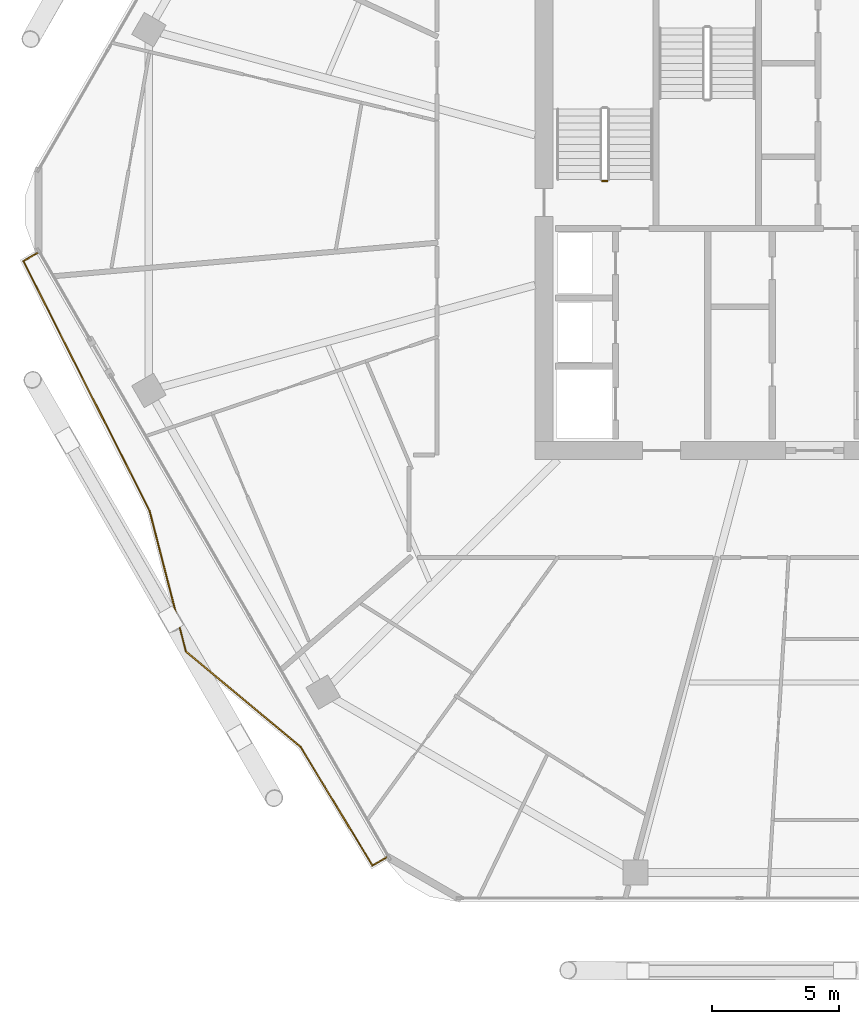
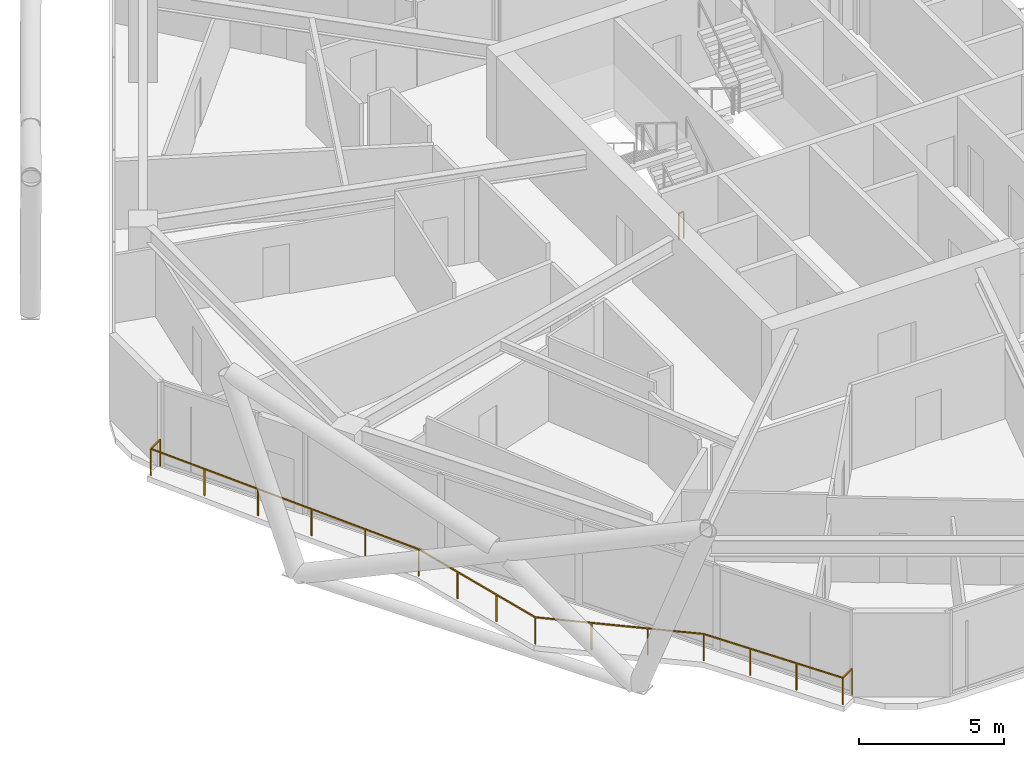
# One storey, part 26 of 28: 2 railings.
"""IFC4 building model written with IfcOpenShell, lengths in metres."""

from ifc_helpers import new_model, si_unit, direction, frame, origin, origin_2d, place, context, subcontext, project, spatial, rectangle, extrude, material, type_object, element, save


model = new_model("IFC4")

# Units and contexts
model_context = context("Model", 3, precision=1e-05, world=origin(), true_north=direction((0.0, 1.0)))
body_context = subcontext(model_context, "Body", "Model", "MODEL_VIEW")
ifc_project = project(units=[si_unit("LENGTHUNIT", "METRE"), si_unit("AREAUNIT", "SQUARE_METRE"), si_unit("VOLUMEUNIT", "CUBIC_METRE"), si_unit("PLANEANGLEUNIT", "RADIAN"), si_unit("MASSUNIT", "GRAM", prefix="KILO")], contexts=[model_context])

# Site, building, storey
site_placement = place(None, origin())
site = spatial("IfcSite", under=ifc_project, at=site_placement, CompositionType="ELEMENT")
building_placement = place(site_placement, origin())
building = spatial("IfcBuilding", under=site, at=building_placement, Name="Zuhravey Tower", CompositionType="ELEMENT")
storey_placement = place(building_placement, frame((0.0, 0.0, 169.39990234375)))
storey = spatial("IfcBuildingStorey", under=building, at=storey_placement, Name="L42", CompositionType="ELEMENT", Elevation=169.39990234375)

# Railings
ifc_material_1 = material(Name="Stainless steel 316 and laminated glass", Category="steel")
railing_type_1 = type_object("IfcRailingType", Name="Balcony & Terrace Guardrail 1150", PredefinedType="BALUSTRADE", material=ifc_material_1)
railing_1_placement = place(storey_placement, frame((19.280029296875, 6.423583984375, 0.0)))
element("IfcRailing", 1, at=railing_1_placement, inside=storey, type_object=railing_type_1, Name="L42 Face 4 Wave Balcony Guardrail GR1", PredefinedType="BALUSTRADE", context=body_context, shape_type="SweptSolid", body=[
    extrude(rectangle(XDim=0.048095703125, YDim=0.048095703125, at=origin_2d()), frame((-0.001708984375, -0.0009765625, 1.1259765625), z_axis=(-0.86596390011, -0.500106512361, 0.0), x_axis=(0.500106512361, -0.86596390011, 0.0)), (0.0, 0.0, 1.0), 0.637939453125),
    extrude(rectangle(XDim=0.048095703125, YDim=0.048095703125, at=origin_2d()), frame((-0.556884765625, -0.3193359375, 1.1259765625), z_axis=(-0.517894557275, 0.855444461987, 0.0), x_axis=(-0.855444461987, -0.517894557275, 0.0)), (0.0, 0.0, 1.0), 5.471923828125),
    extrude(rectangle(XDim=0.048095703125, YDim=0.048095703125, at=origin_2d()), frame((-3.393310546875, 4.364501953125, 1.1259765625), z_axis=(-0.76828567001, 0.640107123267, 0.0), x_axis=(-0.640107123267, -0.76828567001, 0.0)), (0.0, 0.0, 1.0), 5.900634765625),
    extrude(rectangle(XDim=0.048095703125, YDim=0.048095703125, at=origin_2d()), frame((-7.9287109375, 8.144775390625, 1.1259765625), z_axis=(-0.250077217336, 0.968225895837, 0.0), x_axis=(-0.968225895837, -0.250077217336, 0.0)), (0.0, 0.0, 1.0), 5.7412109375),
    extrude(rectangle(XDim=0.048095703125, YDim=0.048095703125, at=origin_2d()), frame((-9.365966796875, 13.707275390625, 1.1259765625), z_axis=(-0.451285017328, 0.892379870423, 0.0), x_axis=(-0.892379870423, -0.451285017328, 0.0)), (0.0, 0.0, 1.0), 11.040771484375),
    extrude(rectangle(XDim=0.048095703125, YDim=0.048095703125, at=origin_2d()), frame((-14.34765625, 23.562744140625, 1.1259765625), z_axis=(0.865977846834, 0.500082362009, 0.0), x_axis=(-0.500082362009, 0.865977846834, 0.0)), (0.0, 0.0, 1.0), 0.641845703125),
    extrude(rectangle(XDim=0.0419921875, YDim=0.0419921875, at=origin_2d()), origin(), (0.0, 0.0, 1.0), 1.099853515625),
    extrude(rectangle(XDim=0.0419921875, YDim=0.0419921875, at=origin_2d()), frame((-0.555908203125, -0.321044921875, 0.0)), (0.0, 0.0, 1.0), 1.099853515625),
    extrude(rectangle(XDim=0.0419921875, YDim=0.0419921875, at=origin_2d()), frame((-1.501220703125, 1.240478515625, 0.0)), (0.0, 0.0, 1.0), 1.099853515625),
    extrude(rectangle(XDim=0.0419921875, YDim=0.0419921875, at=origin_2d()), frame((-2.446533203125, 2.8017578125, 0.0)), (0.0, 0.0, 1.0), 1.099853515625),
    extrude(rectangle(XDim=0.0419921875, YDim=0.0419921875, at=origin_2d()), frame((-3.391845703125, 4.36328125, 0.0)), (0.0, 0.0, 1.0), 1.099853515625),
    extrude(rectangle(XDim=0.0419921875, YDim=0.0419921875, at=origin_2d()), frame((-4.904052734375, 5.623046875, 0.0)), (0.0, 0.0, 1.0), 1.099853515625),
    extrude(rectangle(XDim=0.0419921875, YDim=0.0419921875, at=origin_2d()), frame((-6.416015625, 6.883056640625, 0.0)), (0.0, 0.0, 1.0), 1.099853515625),
    extrude(rectangle(XDim=0.0419921875, YDim=0.0419921875, at=origin_2d()), frame((-7.92822265625, 8.142822265625, 0.0)), (0.0, 0.0, 1.0), 1.099853515625),
    extrude(rectangle(XDim=0.0419921875, YDim=0.0419921875, at=origin_2d()), frame((-8.4072265625, 9.9970703125, 0.0)), (0.0, 0.0, 1.0), 1.099853515625),
    extrude(rectangle(XDim=0.0419921875, YDim=0.0419921875, at=origin_2d()), frame((-8.885986328125, 11.851318359375, 0.0)), (0.0, 0.0, 1.0), 1.099853515625),
    extrude(rectangle(XDim=0.0419921875, YDim=0.0419921875, at=origin_2d()), frame((-9.364990234375, 13.70556640625, 0.0)), (0.0, 0.0, 1.0), 1.099853515625),
    extrude(rectangle(XDim=0.0419921875, YDim=0.0419921875, at=origin_2d()), frame((-10.36181640625, 15.6767578125, 0.0)), (0.0, 0.0, 1.0), 1.099853515625),
    extrude(rectangle(XDim=0.0419921875, YDim=0.0419921875, at=origin_2d()), frame((-11.358642578125, 17.64794921875, 0.0)), (0.0, 0.0, 1.0), 1.099853515625),
    extrude(rectangle(XDim=0.0419921875, YDim=0.0419921875, at=origin_2d()), frame((-12.355712890625, 19.619384765625, 0.0)), (0.0, 0.0, 1.0), 1.099853515625),
    extrude(rectangle(XDim=0.0419921875, YDim=0.0419921875, at=origin_2d()), frame((-13.3525390625, 21.590576171875, 0.0)), (0.0, 0.0, 1.0), 1.099853515625),
    extrude(rectangle(XDim=0.0419921875, YDim=0.0419921875, at=origin_2d()), frame((-14.349365234375, 23.561767578125, 0.0)), (0.0, 0.0, 1.0), 1.099853515625),
    extrude(rectangle(XDim=0.0419921875, YDim=0.0419921875, at=origin_2d()), frame((-13.7900390625, 23.884765625, 0.0)), (0.0, 0.0, 1.0), 1.099853515625),
])
ifc_material_2 = material(Name="Painted tubular steel", Category="steel")
railing_type_2 = type_object("IfcRailingType", Name="Stair Well Guardrail 1150", PredefinedType="GUARDRAIL", material=ifc_material_2)
railing_2_placement = place(storey_placement, frame((28.0, 33.14990234375, 0.0)))
element("IfcRailing", 2, at=railing_2_placement, inside=storey, type_object=railing_type_2, Name="L42 ST1 stair guard 4", PredefinedType="GUARDRAIL", context=body_context, shape_type="SweptSolid", body=[
    extrude(rectangle(XDim=0.048095703125, YDim=0.048095703125, at=origin_2d()), frame((-0.001953125, 0.0, 1.1259765625), z_axis=(-1.0, 0.0, 0.0), x_axis=(0.0, -1.0, 0.0)), (0.0, 0.0, 1.0), 0.196044921875),
    extrude(rectangle(XDim=0.0419921875, YDim=0.0419921875, at=origin_2d()), origin(), (0.0, 0.0, 1.0), 1.099853515625),
    extrude(rectangle(XDim=0.0419921875, YDim=0.0419921875, at=origin_2d()), frame((-0.199951171875, 0.0, 0.0)), (0.0, 0.0, 1.0), 1.099853515625),
])

save(model, "model.ifc")
